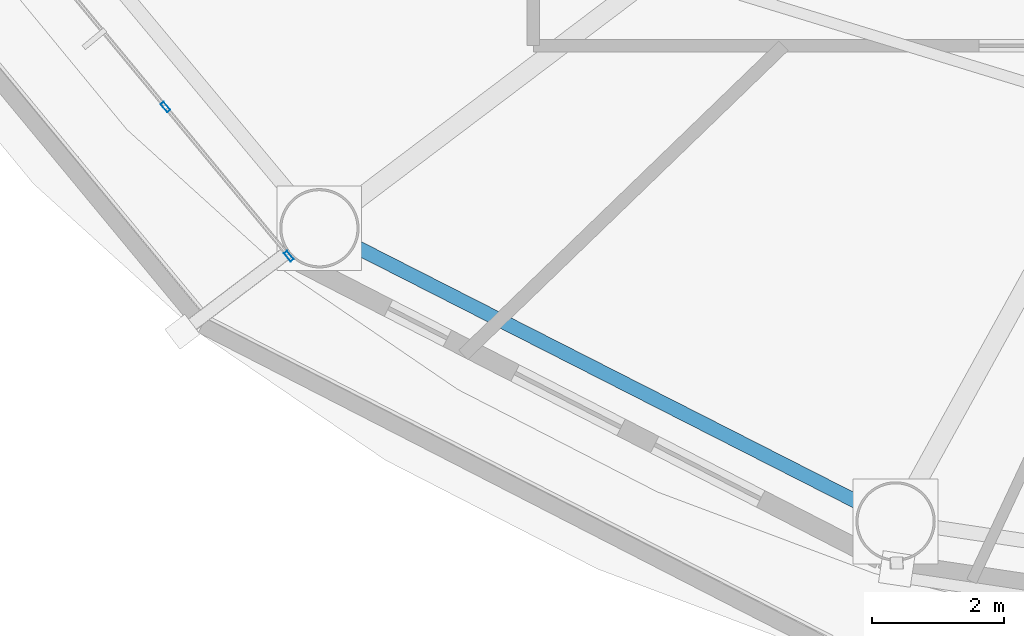
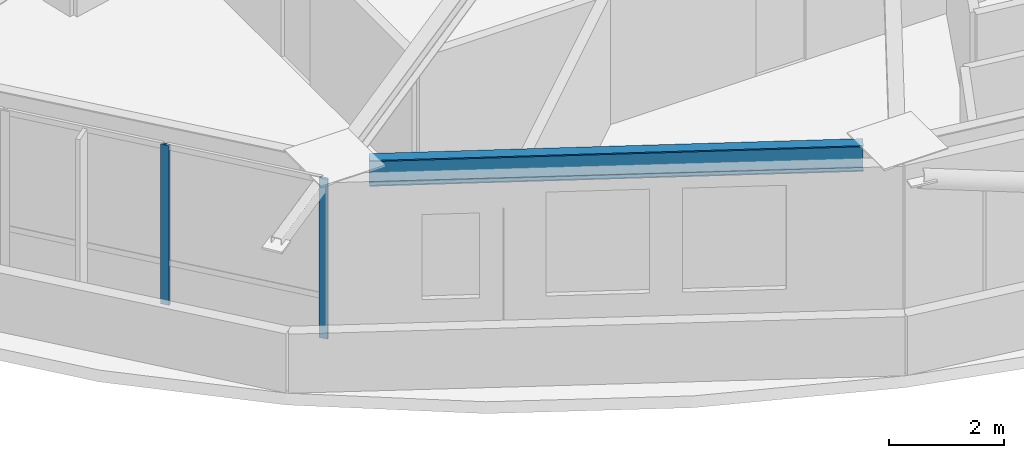
# One storey, part 2 of 27: 2 members, 1 beam, 1 element without a shape of its own.
"""IFC4 building model written with IfcOpenShell, lengths in metres."""

from ifc_helpers import new_model, si_unit, direction, frame, origin, origin_2d, place, context, subcontext, project, spatial, hollow_rectangle, i_section, extrude, material, layer, layer_set, material_profile, profile_set, type_object, element, aggregate, save


model = new_model("IFC4")

# Units and contexts
model_context = context("Model", 3, precision=1e-05, world=origin(), true_north=direction((0.0, 1.0)))
body_context = subcontext(model_context, "Body", "Model", "MODEL_VIEW")
ifc_project = project(units=[si_unit("LENGTHUNIT", "METRE"), si_unit("AREAUNIT", "SQUARE_METRE"), si_unit("VOLUMEUNIT", "CUBIC_METRE"), si_unit("PLANEANGLEUNIT", "RADIAN"), si_unit("MASSUNIT", "GRAM", prefix="KILO")], contexts=[model_context])

# Site, building, storey
site_placement = place(None, origin())
site = spatial("IfcSite", under=ifc_project, at=site_placement, CompositionType="ELEMENT")
building_placement = place(site_placement, origin())
building = spatial("IfcBuilding", under=site, at=building_placement, Name="Sarneth Arch Tower", CompositionType="ELEMENT")
storey_placement = place(building_placement, frame((0.0, 0.0, 150.60009765625)))
storey = spatial("IfcBuildingStorey", under=building, at=storey_placement, Name="L37", CompositionType="ELEMENT", Elevation=150.60009765625)

# Beam
ifc_material_1 = material(Name="Steel S355", Category="steel")
ifc_material_profile_1 = material_profile(ifc_material_1, i_section(OverallWidth=0.214111328125, OverallDepth=0.549072265625, WebThickness=0.0146484375, FlangeThickness=0.023681640625, FilletRadius=0.01806640625, at=origin_2d()), Name="W530x138")
ifc_profile_set_1 = profile_set([ifc_material_profile_1], Name="Steel S355")
beam_type = type_object("IfcBeamType", Name="BM-RAD-530A", PredefinedType="BEAM", material=ifc_profile_set_1)
beam_placement = place(storey_placement, frame((29.40087890625, 27.267578125, 3.10546875), z_axis=(0.891250372735, -0.453511601945, 0.0), x_axis=(0.453511601945, 0.891250372735, 0.0)))
element("IfcBeam", 1, at=beam_placement, inside=storey, type_object=beam_type, Name="L37 Perimeter spandrel beam 11", PredefinedType="BEAM", context=body_context, shape_type="SweptSolid", body=[
    extrude(i_section(OverallWidth=0.214111328125, OverallDepth=0.549072265625, WebThickness=0.0146484375, FlangeThickness=0.023681640625, FilletRadius=0.01806640625, at=origin_2d()), origin(), (0.0, 0.0, 1.0), 8.5751953125),
])

# Curtain wall, members
ifc_material_2 = material(Name="Anodised aluminium Type AA25 and solar-control low-e laminated IGU", Category="aluminium")
ifc_layer = layer(ifc_material_2, 0.169921875)
ifc_layer_set = layer_set([ifc_layer], Name="Anodised aluminium Type AA25 and solar-control low-e laminated IGU")
curtain_wall_type = type_object("IfcCurtainWallType", Name="CW-RES-MID", PredefinedType="NOTDEFINED", material=ifc_layer_set)
curtain_wall_placement = place(storey_placement, origin())
curtain_wall = element("IfcCurtainWall", 2, at=curtain_wall_placement, inside=storey, type_object=curtain_wall_type, Name="L37 Unitised curtain wall facet 10", PredefinedType="NOTDEFINED")
ifc_material_3 = material(Name="Anodised Aluminium 6063-T6", Category="aluminium")
ifc_material_profile_2 = material_profile(ifc_material_3, hollow_rectangle(XDim=0.06005859375, YDim=0.159912109375, WallThickness=0.00390625, at=origin_2d()), Name="AL-MULL-160x60x4")
ifc_profile_set_2 = profile_set([ifc_material_profile_2], Name="Anodised Aluminium 6063-T6")
member_type = type_object("IfcMemberType", Name="CW-MULLION", PredefinedType="MULLION", material=ifc_profile_set_2)
member_1_placement = place(storey_placement, frame((26.53857421875, 29.373779296875, 0.0), z_axis=(0.0, 0.0, 1.0), x_axis=(0.770590741276, 0.637330298558, 0.0)))
member_1 = element("IfcMember", 3, at=member_1_placement, type_object=member_type, Name="CW-SYS-5 mullion 3", PredefinedType="MULLION", context=body_context, shape_type="SweptSolid", body=[
    extrude(hollow_rectangle(XDim=0.06005859375, YDim=0.159912109375, WallThickness=0.00390625, at=origin_2d()), origin(), (0.0, 0.0, 1.0), 3.3798828125),
])
member_2_placement = place(storey_placement, frame((28.40478515625, 27.1171875, 0.0), z_axis=(0.0, 0.0, 1.0), x_axis=(0.770590741276, 0.637330298558, 0.0)))
member_2 = element("IfcMember", 4, at=member_2_placement, type_object=member_type, Name="CW-SYS-5 mullion 4", PredefinedType="MULLION", context=body_context, shape_type="SweptSolid", body=[
    extrude(hollow_rectangle(XDim=0.06005859375, YDim=0.159912109375, WallThickness=0.00390625, at=origin_2d()), origin(), (0.0, 0.0, 1.0), 3.3798828125),
])
aggregate(curtain_wall, [member_1, member_2])

save(model, "model.ifc")
